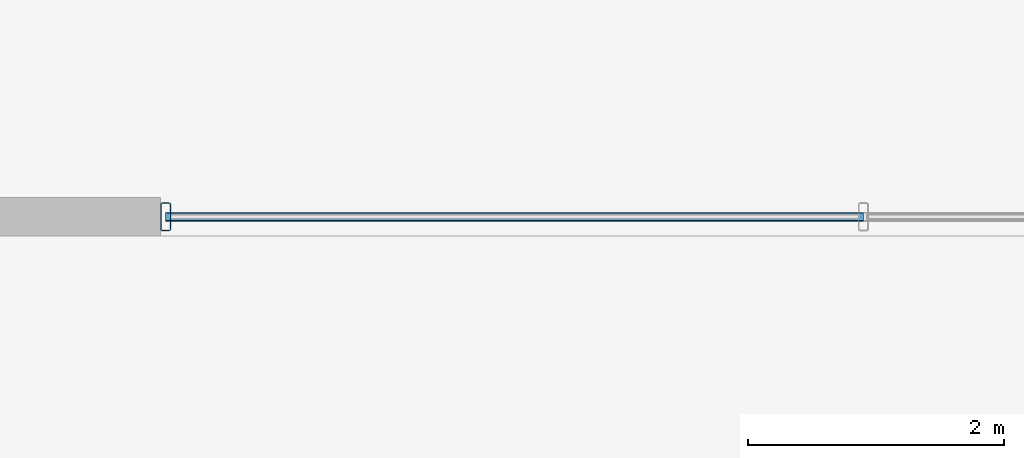
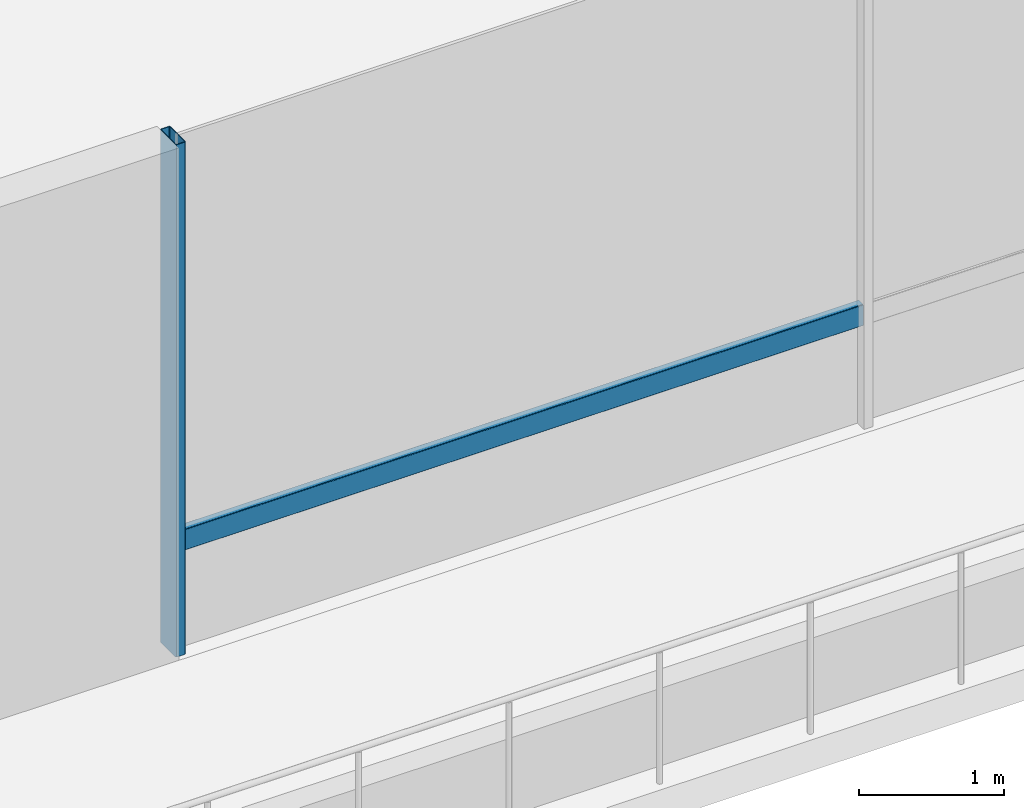
# One storey, part 8 of 45: 2 members, 1 element without a shape of its own.
"""IFC4 building model written with IfcOpenShell, lengths in metres."""

from ifc_helpers import new_model, si_unit, direction, frame, origin, origin_2d, place, context, subcontext, project, spatial, hollow_rectangle, extrude, material, layer, layer_set, material_profile, profile_set, type_object, element, aggregate, save


model = new_model("IFC4")

# Units and contexts
model_context = context("Model", 3, precision=1e-05, world=origin(), true_north=direction((0.0, 1.0)))
body_context = subcontext(model_context, "Body", "Model", "MODEL_VIEW")
ifc_project = project(units=[si_unit("LENGTHUNIT", "METRE"), si_unit("AREAUNIT", "SQUARE_METRE"), si_unit("VOLUMEUNIT", "CUBIC_METRE"), si_unit("PLANEANGLEUNIT", "RADIAN"), si_unit("MASSUNIT", "GRAM", prefix="KILO")], contexts=[model_context])

# Site, building, storey
site_placement = place(None, origin())
site = spatial("IfcSite", under=ifc_project, at=site_placement, CompositionType="ELEMENT")
building_placement = place(site_placement, origin())
building = spatial("IfcBuilding", under=site, at=building_placement, Name="Korimba Cascade Residences", CompositionType="ELEMENT")
storey_placement = place(building_placement, frame((0.0, 0.0, 5.39990234375)))
storey = spatial("IfcBuildingStorey", under=building, at=storey_placement, Name="L01", CompositionType="ELEMENT", Elevation=5.39990234375)

# Curtain wall, members
ifc_material_1 = material(Name="Anodised Aluminium Curtain Wall Framing", Category="aluminium")
ifc_layer = layer(ifc_material_1, 0.179931640625)
ifc_layer_set = layer_set([ifc_layer], Name="Anodised Aluminium Curtain Wall Framing")
curtain_wall_type = type_object("IfcCurtainWallType", Name="CW-POD-SYS1", PredefinedType="NOTDEFINED", material=ifc_layer_set)
curtain_wall_placement = place(storey_placement, origin())
curtain_wall = element("IfcCurtainWall", 1, at=curtain_wall_placement, inside=storey, type_object=curtain_wall_type, Name="L01 Curtain Wall CW-L01-POD-S", PredefinedType="NOTDEFINED")
ifc_material_2 = material(Name="Anodised Aluminium Mullion", Category="aluminium")
ifc_material_profile_1 = material_profile(ifc_material_2, hollow_rectangle(XDim=0.080078125, YDim=0.219970703125, WallThickness=0.00634765625, InnerFilletRadius=0.00634765625, OuterFilletRadius=0.0126953125, at=origin_2d()), Name="Anodised Aluminium Mullion")
ifc_profile_set_1 = profile_set([ifc_material_profile_1], Name="Anodised Aluminium Mullion")
member_type_1 = type_object("IfcMemberType", Name="CWM-MUL-220", PredefinedType="MULLION", material=ifc_profile_set_1)
member_1_placement = place(storey_placement, frame((88.0400390625, -23.35009765625, 0.0), z_axis=(0.0, 0.0, 1.0), x_axis=(1.0, 0.0, 0.0)))
member_1 = element("IfcMember", 2, at=member_1_placement, type_object=member_type_1, Name="CW-L01-POD-S Mullion 1", PredefinedType="MULLION", context=body_context, shape_type="SweptSolid", body=[
    extrude(hollow_rectangle(XDim=0.080078125, YDim=0.219970703125, WallThickness=0.00634765625, InnerFilletRadius=0.00634765625, OuterFilletRadius=0.0126953125, at=origin_2d()), origin(), (0.0, 0.0, 1.0), 4.300048828125),
])
ifc_material_3 = material(Name="Anodised Aluminium Transom", Category="aluminium")
ifc_material_profile_2 = material_profile(ifc_material_3, hollow_rectangle(XDim=0.070068359375, YDim=0.179931640625, WallThickness=0.0048828125, InnerFilletRadius=0.0048828125, OuterFilletRadius=0.010009765625, at=origin_2d()), Name="Anodised Aluminium Transom")
ifc_profile_set_2 = profile_set([ifc_material_profile_2], Name="Anodised Aluminium Transom")
member_type_2 = type_object("IfcMemberType", Name="CWM-TRN-150", PredefinedType="USERDEFINED", material=ifc_profile_set_2)
member_2_placement = place(storey_placement, frame((88.0400390625, -23.35009765625, 0.900146484375), z_axis=(1.0, 0.0, 0.0), x_axis=(0.0, 1.0, 0.0)))
member_2 = element("IfcMember", 3, at=member_2_placement, type_object=member_type_2, Name="CW-L01-POD-S Transom 1", ObjectType="TRANSOM", PredefinedType="USERDEFINED", context=body_context, shape_type="SweptSolid", body=[
    extrude(hollow_rectangle(XDim=0.070068359375, YDim=0.179931640625, WallThickness=0.0048828125, InnerFilletRadius=0.0048828125, OuterFilletRadius=0.010009765625, at=origin_2d()), origin(), (0.0, 0.0, 1.0), 5.4599609375),
])
aggregate(curtain_wall, [member_1, member_2])

save(model, "model.ifc")
